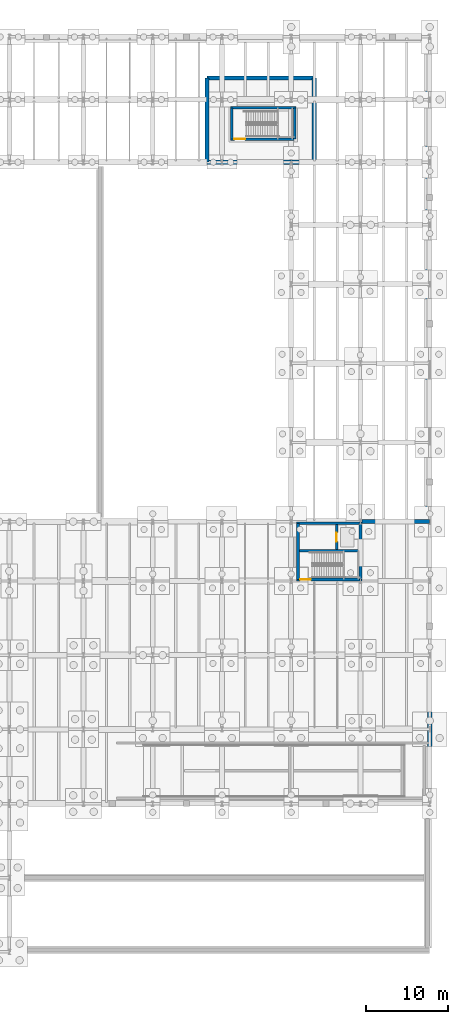
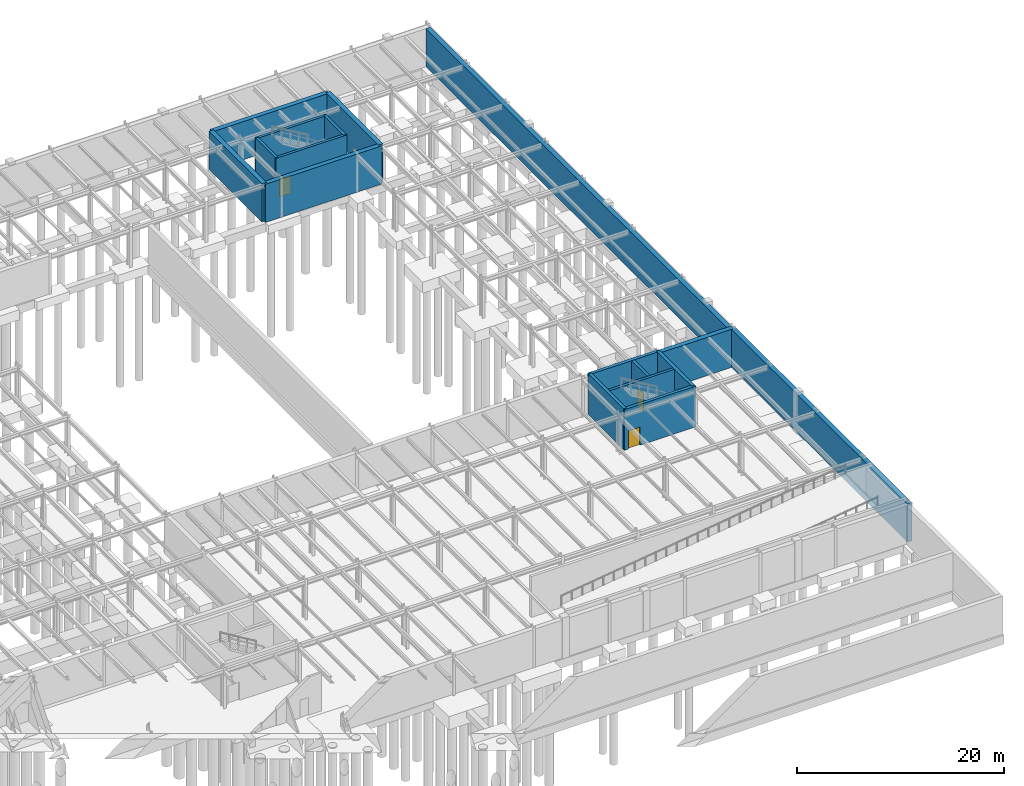
# One storey, part 47 of 59: 17 walls, 3 doors, 3 openings.
"""IFC4 building model written with IfcOpenShell, lengths in metres."""

from ifc_helpers import new_model, si_unit, direction, frame, frame_2d, origin, place, context, subcontext, project, spatial, rectangle, extrude, material, layer, layer_set, type_object, element, fill, save


model = new_model("IFC4")

# Units and contexts
model_context = context("Model", 3, precision=1e-05, world=origin(), true_north=direction((0.0, 1.0)))
body_context = subcontext(model_context, "Body", "Model", "MODEL_VIEW")
ifc_project = project(units=[si_unit("LENGTHUNIT", "METRE"), si_unit("AREAUNIT", "SQUARE_METRE"), si_unit("VOLUMEUNIT", "CUBIC_METRE"), si_unit("PLANEANGLEUNIT", "RADIAN"), si_unit("MASSUNIT", "GRAM", prefix="KILO")], contexts=[model_context])

# Site, building, storey
site_placement = place(None, origin())
site = spatial("IfcSite", under=ifc_project, at=site_placement, CompositionType="ELEMENT")
building_placement = place(site_placement, origin())
building = spatial("IfcBuilding", under=site, at=building_placement, Name="Montealbar Specialist Clinic", CompositionType="ELEMENT")
storey_placement = place(building_placement, frame((0.0, 0.0, -4.800048828125)))
storey = spatial("IfcBuildingStorey", under=building, at=storey_placement, Name="B01", CompositionType="ELEMENT", Elevation=-4.800048828125)

# Wall
ifc_material_1 = material(Name="Concrete C35/45", Category="concrete")
ifc_layer_1 = layer(ifc_material_1, 0.300048828125, Name="Concrete C35/45", Category="concrete")
ifc_layer_set_1 = layer_set([ifc_layer_1], Name="Concrete C35/45")
wall_type_1 = type_object("IfcWallType", Name="WL-CORE-300", PredefinedType="SHEAR", material=ifc_layer_set_1)
wall_1_placement = place(storey_placement, frame((146.175048828125, 48.64990234375, 0.0), z_axis=(0.0, 0.0, 1.0), x_axis=(1.0, 0.0, 0.0)))
element("IfcWall", 1, at=wall_1_placement, inside=storey, type_object=wall_type_1, Name="Core C6 Stairwell Wall B01", PredefinedType="SHEAR", context=body_context, shape_type="SweptSolid", body=[
    extrude(rectangle(XDim=7.25, YDim=0.300048828125, at=frame_2d((3.625, 0.0))), origin(), (0.0, 0.0, 1.0), 4.800048828125),
])

# Wall, opening, door
wall_2_placement = place(storey_placement, frame((150.699951171875, 48.800048828125, 0.0), z_axis=(0.0, 0.0, 1.0), x_axis=(0.0, 1.0, 0.0)))
wall_2 = element("IfcWall", 2, at=wall_2_placement, inside=storey, type_object=wall_type_1, Name="Lift LF-04 Shaft Wall B01 LW", PredefinedType="SHEAR", context=body_context, shape_type="SweptSolid", body=[
    extrude(rectangle(XDim=3.02490234375, YDim=0.300048828125, at=frame_2d((1.512451171875, 0.0))), origin(), (0.0, 0.0, 1.0), 4.800048828125),
])
opening_1_placement = place(wall_2_placement, frame((0.962890625, 0.0, 0.0)))
opening_1 = element("IfcOpeningElement", 3, at=opening_1_placement, cuts=wall_2, Name="Opening LD-11", PredefinedType="OPENING", context=body_context, shape_type="SweptSolid", body=[
    extrude(rectangle(XDim=1.10009765625, YDim=2.14990234375, at=frame_2d((0.550048828125, 1.074951171875))), frame((0.0, 0.159912109375, 0.0), z_axis=(0.0, -1.0, 0.0), x_axis=(1.0, 0.0, 0.0)), (0.0, 0.0, 1.0), 0.320068359375),
])
ifc_material_2 = material(Name="Steel S355", Category="steel")
door_type_1 = type_object("IfcDoorType", Name="DR-LIFT-LD1100", OperationType="DOUBLE_DOOR_SLIDING", PredefinedType="DOOR", material=ifc_material_2)
door_1_placement = place(opening_1_placement, origin())
door_1 = element("IfcDoor", 4, at=door_1_placement, inside=storey, type_object=door_type_1, Name="Lift LF-04 Sliding Landing Door B01", OperationType="DOUBLE_DOOR_SLIDING", OverallHeight=2.14990234375, OverallWidth=1.10009765625, PredefinedType="DOOR", context=body_context, shape_type="SweptSolid", body=[
    extrude(rectangle(XDim=1.10009765625, YDim=2.14990234375, at=frame_2d((0.550048828125, 1.074951171875))), frame((0.0, 0.02490234375, 0.0), z_axis=(0.0, -1.0, 0.0), x_axis=(1.0, 0.0, 0.0)), (0.0, 0.0, 1.0), 0.050048828125),
])
fill(opening_1, door_1)

wall_3_placement = place(storey_placement, frame((137.85009765625, 98.60009765625, 0.0), z_axis=(0.0, 0.0, 1.0), x_axis=(1.0, 0.0, 0.0)))
wall_3 = element("IfcWall", 5, at=wall_3_placement, inside=storey, type_object=wall_type_1, Name="Core C7 Shear Wall B01 S", PredefinedType="SHEAR", context=body_context, shape_type="SweptSolid", body=[
    extrude(rectangle(XDim=7.89990234375, YDim=0.300048828125, at=frame_2d((3.949951171875, 0.0))), origin(), (0.0, 0.0, 1.0), 4.800048828125),
])
opening_2_placement = place(wall_3_placement, frame((0.449951171875, 0.0, 0.0)))
opening_2 = element("IfcOpeningElement", 6, at=opening_2_placement, cuts=wall_3, Name="Opening SD-13", PredefinedType="OPENING", context=body_context, shape_type="SweptSolid", body=[
    extrude(rectangle(XDim=1.300048828125, YDim=2.14990234375, at=frame_2d((0.64990234375, 1.074951171875))), frame((0.0, 0.159912109375, 0.0), z_axis=(0.0, -1.0, 0.0), x_axis=(1.0, 0.0, 0.0)), (0.0, 0.0, 1.0), 0.320068359375),
])
door_type_2 = type_object("IfcDoorType", Name="DR-STAIR-W1300", OperationType="NOTDEFINED", PredefinedType="DOOR", material=ifc_material_2)
door_2_placement = place(opening_2_placement, frame((1.300048828125, 0.0, 0.0), z_axis=(0.0, 0.0, 1.0), x_axis=(-1.0, 0.0, 0.0)))
door_2 = element("IfcDoor", 7, at=door_2_placement, inside=storey, type_object=door_type_2, Name="Protected Core C7 Stair Fire Door B01", OperationType="SINGLE_SWING_LEFT", OverallHeight=2.14990234375, OverallWidth=1.300048828125, PredefinedType="DOOR", context=body_context, shape_type="SweptSolid", body=[
    extrude(rectangle(XDim=1.300048828125, YDim=2.14990234375, at=frame_2d((0.64990234375, 1.074951171875))), frame((0.0, 0.02490234375, 0.0), z_axis=(0.0, -1.0, 0.0), x_axis=(1.0, 0.0, 0.0)), (0.0, 0.0, 1.0), 0.050048828125),
])
fill(opening_2, door_2)

# Walls
wall_4_placement = place(storey_placement, frame((137.85009765625, 102.39990234375, 0.0), z_axis=(0.0, 0.0, 1.0), x_axis=(1.0, 0.0, 0.0)))
element("IfcWall", 8, at=wall_4_placement, inside=storey, type_object=wall_type_1, Name="Core C7 Shear Wall B01 N", PredefinedType="SHEAR", context=body_context, shape_type="SweptSolid", body=[
    extrude(rectangle(XDim=7.89990234375, YDim=0.300048828125, at=frame_2d((3.949951171875, 0.0))), origin(), (0.0, 0.0, 1.0), 4.800048828125),
])
for number, where, z_axis, x_axis, name in (
    (9, (138.0, 98.60009765625, 0.0), (0.0, 0.0, 1.0), (0.0, 1.0, 0.0), "Core C7 Shear Wall B01 W"),
    (10, (145.60009765625, 98.60009765625, 0.0), (0.0, 0.0, 1.0), (0.0, 1.0, 0.0), "Core C7 Shear Wall B01 E"),
):
    element("IfcWall", number, at=place(storey_placement, frame(where, z_axis=z_axis, x_axis=x_axis)), inside=storey, type_object=wall_type_1, Name=name, PredefinedType="SHEAR", context=body_context, shape_type="SweptSolid", body=[
        extrude(rectangle(XDim=3.7998046875, YDim=0.300048828125, at=frame_2d((1.89990234375, 0.0))), origin(), (0.0, 0.0, 1.0), 4.800048828125),
    ])

# Wall, opening, door
ifc_layer_2 = layer(ifc_material_1, 0.35009765625, Name="Concrete C35/45", Category="concrete")
ifc_layer_set_2 = layer_set([ifc_layer_2], Name="Concrete C35/45")
wall_type_2 = type_object("IfcWallType", Name="WL-CORE-350", PredefinedType="SHEAR", material=ifc_layer_set_2)
wall_5_placement = place(storey_placement, frame((145.824951171875, 45.199951171875, 0.0), z_axis=(0.0, 0.0, 1.0), x_axis=(1.0, 0.0, 0.0)))
wall_5 = element("IfcWall", 11, at=wall_5_placement, inside=storey, type_object=wall_type_2, Name="Core C6 Shear Wall B01 S", PredefinedType="SHEAR", context=body_context, shape_type="SweptSolid", body=[
    extrude(rectangle(XDim=7.949951171875, YDim=0.35009765625, at=frame_2d((3.97509765625, 0.0))), origin(), (0.0, 0.0, 1.0), 4.800048828125),
])
opening_3_placement = place(wall_5_placement, frame((0.449951171875, 0.0, 0.0)))
opening_3 = element("IfcOpeningElement", 12, at=opening_3_placement, cuts=wall_5, Name="Opening SD-13", PredefinedType="OPENING", context=body_context, shape_type="SweptSolid", body=[
    extrude(rectangle(XDim=1.300048828125, YDim=2.14990234375, at=frame_2d((0.64990234375, 1.074951171875))), frame((0.0, 0.18505859375, 0.0), z_axis=(0.0, -1.0, 0.0), x_axis=(1.0, 0.0, 0.0)), (0.0, 0.0, 1.0), 0.3701171875),
])
door_3_placement = place(opening_3_placement, frame((1.300048828125, 0.0, 0.0), z_axis=(0.0, 0.0, 1.0), x_axis=(-1.0, 0.0, 0.0)))
door_3 = element("IfcDoor", 13, at=door_3_placement, inside=storey, type_object=door_type_2, Name="Protected Core C6 Stair Fire Door B01", OperationType="SINGLE_SWING_RIGHT", OverallHeight=2.14990234375, OverallWidth=1.300048828125, PredefinedType="DOOR", context=body_context, shape_type="SweptSolid", body=[
    extrude(rectangle(XDim=1.300048828125, YDim=2.14990234375, at=frame_2d((0.64990234375, 1.074951171875))), frame((0.0, 0.02490234375, 0.0), z_axis=(0.0, -1.0, 0.0), x_axis=(1.0, 0.0, 0.0)), (0.0, 0.0, 1.0), 0.050048828125),
])
fill(opening_3, door_3)

# Walls
wall_6_placement = place(storey_placement, frame((145.824951171875, 52.0, 0.0), z_axis=(0.0, 0.0, 1.0), x_axis=(1.0, 0.0, 0.0)))
element("IfcWall", 14, at=wall_6_placement, inside=storey, type_object=wall_type_2, Name="Core C6 Shear Wall B01 N", PredefinedType="SHEAR", context=body_context, shape_type="SweptSolid", body=[
    extrude(rectangle(XDim=7.949951171875, YDim=0.35009765625, at=frame_2d((3.97509765625, 0.0))), origin(), (0.0, 0.0, 1.0), 4.800048828125),
])
for number, where, z_axis, x_axis, name in (
    (15, (146.0, 45.199951171875, 0.0), (0.0, 0.0, 1.0), (0.0, 1.0, 0.0), "Core C6 Shear Wall B01 W"),
    (16, (153.60009765625, 45.199951171875, 0.0), (0.0, 0.0, 1.0), (0.0, 1.0, 0.0), "Core C6 Shear Wall B01 E"),
):
    element("IfcWall", number, at=place(storey_placement, frame(where, z_axis=z_axis, x_axis=x_axis)), inside=storey, type_object=wall_type_2, Name=name, PredefinedType="SHEAR", context=body_context, shape_type="SweptSolid", body=[
        extrude(rectangle(XDim=6.800048828125, YDim=0.35009765625, at=frame_2d((3.39990234375, 0.0))), origin(), (0.0, 0.0, 1.0), 4.800048828125),
    ])
ifc_layer_3 = layer(ifc_material_1, 0.5, Name="Concrete C35/45", Category="concrete")
ifc_layer_set_3 = layer_set([ifc_layer_3], Name="Concrete C35/45")
wall_type_3 = type_object("IfcWallType", Name="WL-RET-500", PredefinedType="SOLIDWALL", material=ifc_layer_set_3)
wall_7_placement = place(storey_placement, frame((153.77490234375, 52.199951171875, 0.0), z_axis=(0.0, 0.0, 1.0), x_axis=(1.0, 0.0, 0.0)))
element("IfcWall", 17, at=wall_7_placement, inside=storey, type_object=wall_type_3, Name="Basement Retaining Wall B01-05", PredefinedType="SOLIDWALL", context=body_context, shape_type="SweptSolid", body=[
    extrude(rectangle(XDim=8.22509765625, YDim=0.5, at=frame_2d((4.112548828125, 0.0))), origin(), (0.0, 0.0, 1.0), 4.5),
])
wall_8_placement = place(storey_placement, frame((162.0, 52.199951171875, 0.0), z_axis=(0.0, 0.0, 1.0), x_axis=(0.0, -1.0, 0.0)))
element("IfcWall", 18, at=wall_8_placement, inside=storey, type_object=wall_type_3, Name="Basement Retaining Wall B01-06", PredefinedType="SOLIDWALL", context=body_context, shape_type="SweptSolid", body=[
    extrude(rectangle(XDim=34.199951171875, YDim=0.5, at=frame_2d((17.10009765625, 0.0))), origin(), (0.0, 0.0, 1.0), 4.5),
])
wall_9_placement = place(storey_placement, frame((148.0, 95.800048828125, 0.0), z_axis=(0.0, 0.0, 1.0), x_axis=(-1.0, 0.0, 0.0)))
element("IfcWall", 19, at=wall_9_placement, inside=storey, type_object=wall_type_3, Name="Basement Retaining Wall B01-10", PredefinedType="SOLIDWALL", context=body_context, shape_type="SweptSolid", body=[
    extrude(rectangle(XDim=13.0, YDim=0.5, at=frame_2d((6.5, 0.0))), origin(), (0.0, 0.0, 1.0), 4.5),
])
wall_10_placement = place(storey_placement, frame((135.0, 95.800048828125, 0.0), z_axis=(0.0, 0.0, 1.0), x_axis=(0.0, 1.0, 0.0)))
element("IfcWall", 20, at=wall_10_placement, inside=storey, type_object=wall_type_3, Name="Basement Retaining Wall B01-11", PredefinedType="SOLIDWALL", context=body_context, shape_type="SweptSolid", body=[
    extrude(rectangle(XDim=10.199951171875, YDim=0.5, at=frame_2d((5.10009765625, 0.0))), origin(), (0.0, 0.0, 1.0), 4.5),
])
wall_11_placement = place(storey_placement, frame((135.0, 106.0, 0.0), z_axis=(0.0, 0.0, 1.0), x_axis=(1.0, 0.0, 0.0)))
element("IfcWall", 21, at=wall_11_placement, inside=storey, type_object=wall_type_3, Name="Basement Retaining Wall B01-12", PredefinedType="SOLIDWALL", context=body_context, shape_type="SweptSolid", body=[
    extrude(rectangle(XDim=13.0, YDim=0.5, at=frame_2d((6.5, 0.0))), origin(), (0.0, 0.0, 1.0), 4.5),
])
wall_12_placement = place(storey_placement, frame((148.0, 106.0, 0.0), z_axis=(0.0, 0.0, 1.0), x_axis=(0.0, -1.0, 0.0)))
element("IfcWall", 22, at=wall_12_placement, inside=storey, type_object=wall_type_3, Name="Basement Retaining Wall B01-13", PredefinedType="SOLIDWALL", context=body_context, shape_type="SweptSolid", body=[
    extrude(rectangle(XDim=10.199951171875, YDim=0.5, at=frame_2d((5.10009765625, 0.0))), origin(), (0.0, 0.0, 1.0), 4.5),
])
wall_13_placement = place(storey_placement, frame((161.75, 52.449951171875, 0.0), z_axis=(0.0, 0.0, 1.0), x_axis=(0.0, 1.0, 0.0)))
element("IfcWall", 23, at=wall_13_placement, inside=storey, type_object=wall_type_3, Name="Perimeter Plinth Retaining Wall NE-E", PredefinedType="SOLIDWALL", context=body_context, shape_type="SweptSolid", body=[
    extrude(rectangle(XDim=58.050048828125, YDim=0.5, at=frame_2d((29.02490234375, 0.0))), origin(), (0.0, 0.0, 1.0), 4.5),
])

save(model, "model.ifc")
